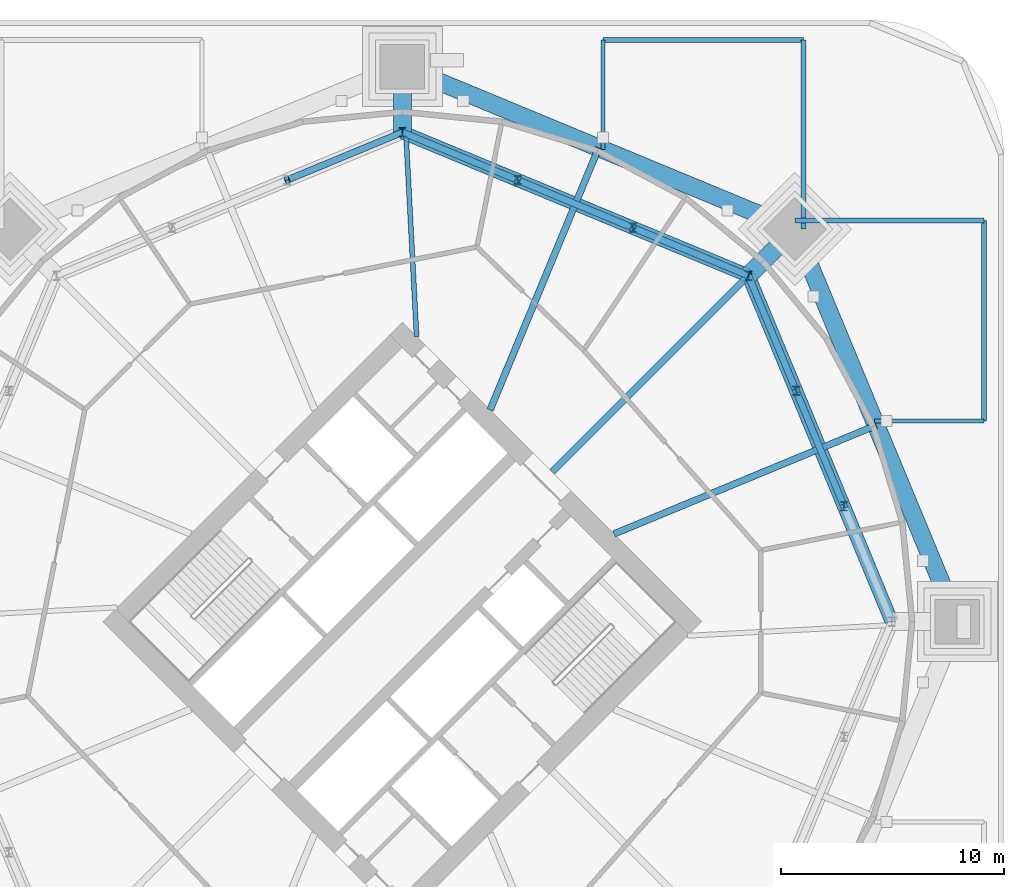
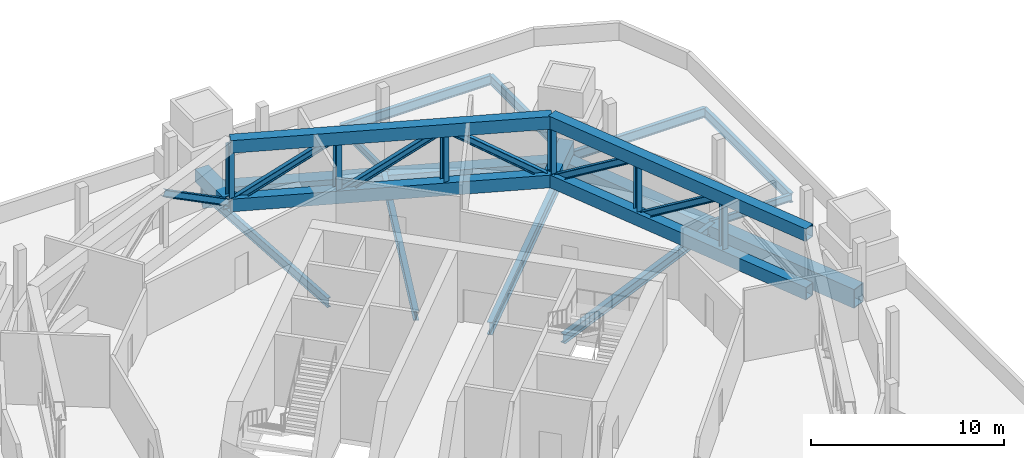
# One storey, part 9 of 21: 16 members, 14 beams.
"""IFC4 building model written with IfcOpenShell, lengths in metres."""

from ifc_helpers import new_model, si_unit, direction, frame, origin, origin_2d, place, context, subcontext, project, spatial, hollow_rectangle, i_section, extrude, material, material_profile, profile_set, type_object, element, save


model = new_model("IFC4")

# Units and contexts
model_context = context("Model", 3, precision=1e-05, world=origin(), true_north=direction((0.0, 1.0)))
body_context = subcontext(model_context, "Body", "Model", "MODEL_VIEW")
ifc_project = project(units=[si_unit("LENGTHUNIT", "METRE"), si_unit("AREAUNIT", "SQUARE_METRE"), si_unit("VOLUMEUNIT", "CUBIC_METRE"), si_unit("PLANEANGLEUNIT", "RADIAN"), si_unit("MASSUNIT", "GRAM", prefix="KILO")], contexts=[model_context])

# Site, building, storey
site_placement = place(None, origin())
site = spatial("IfcSite", under=ifc_project, at=site_placement, CompositionType="ELEMENT")
building_placement = place(site_placement, origin())
building = spatial("IfcBuilding", under=site, at=building_placement, Name="Ogive Gate Towers", CompositionType="ELEMENT")
storey_placement = place(building_placement, frame((0.0, 0.0, 27.60009765625)))
storey = spatial("IfcBuildingStorey", under=building, at=storey_placement, Name="L05", CompositionType="ELEMENT", Elevation=27.60009765625)

# Beams
ifc_material_1 = material(Name="Steel SM460", Category="steel")
ifc_material_profile_1 = material_profile(ifc_material_1, hollow_rectangle(XDim=0.800048828125, YDim=1.199951171875, WallThickness=0.050048828125, at=origin_2d()), Name="BX 1200x800x50")
ifc_profile_set_1 = profile_set([ifc_material_profile_1], Name="Steel SM460")
beam_type_1 = type_object("IfcBeamType", Name="Edge girder BX 1200x800x50", PredefinedType="BEAM", material=ifc_profile_set_1)
for number, where, z_axis, x_axis, name in (
    (1, (60.909912109375, 0.0, -0.900146484375), (-0.382680526191, 0.923880736283, 0.0), (-0.923880736283, -0.382680526191, 0.0), "T2/L05/SBM020"),
    (2, (53.614013671875, 17.614013671875, -0.900146484375), (-0.923880736283, 0.382680526191, 0.0), (-0.382680526191, -0.923880736283, 0.0), "T2/L05/SBM021"),
):
    element("IfcBeam", number, at=place(storey_placement, frame(where, z_axis=z_axis, x_axis=x_axis)), inside=storey, type_object=beam_type_1, Name=name, PredefinedType="BEAM", context=body_context, shape_type="SweptSolid", body=[
        extrude(hollow_rectangle(XDim=0.800048828125, YDim=1.199951171875, WallThickness=0.050048828125, at=origin_2d()), origin(), (0.0, 0.0, 1.0), 19.065185546875),
    ])
ifc_material_2 = material(Name="Steel SM355", Category="steel")
ifc_material_profile_2 = material_profile(ifc_material_2, i_section(OverallWidth=0.18994140625, OverallDepth=0.449951171875, WebThickness=0.009521484375, FlangeThickness=0.0146484375, FilletRadius=0.02099609375, at=origin_2d()), Name="IPE 450")
ifc_profile_set_2 = profile_set([ifc_material_profile_2], Name="Steel SM355")
beam_type_2 = type_object("IfcBeamType", Name="Floor beam IPE 450", PredefinedType="BEAM", material=ifc_profile_set_2)
for number, where, z_axis, x_axis, name in (
    (3, (45.0, 26.10009765625, -0.525146484375), (0.0, -1.0, 0.0), (1.0, 0.0, 0.0), "PD/L05/SBM064"),
    (4, (62.10009765625, 9.0, -0.525146484375), (-1.0, 0.0, 0.0), (0.0, -1.0, 0.0), "PD/L05/SBM066"),
):
    element("IfcBeam", number, at=place(storey_placement, frame(where, z_axis=z_axis, x_axis=x_axis)), inside=storey, type_object=beam_type_2, Name=name, PredefinedType="BEAM", context=body_context, shape_type="SweptSolid", body=[
        extrude(i_section(OverallWidth=0.18994140625, OverallDepth=0.449951171875, WebThickness=0.009521484375, FlangeThickness=0.0146484375, FilletRadius=0.02099609375, at=origin_2d()), origin(), (0.0, 0.0, 1.0), 4.91796875),
    ])
ifc_material_profile_3 = material_profile(ifc_material_2, i_section(OverallWidth=0.219970703125, OverallDepth=0.60009765625, WebThickness=0.011962890625, FlangeThickness=0.01904296875, FilletRadius=0.02392578125, at=origin_2d()), Name="IPE 600")
ifc_profile_set_3 = profile_set([ifc_material_profile_3], Name="Steel SM355")
beam_type_3 = type_object("IfcBeamType", Name="Floor beam IPE 600", PredefinedType="BEAM", material=ifc_profile_set_3)
for number, where, z_axis, x_axis, name in (
    (5, (54.0, 17.614013671875, -0.60009765625), (0.0, 1.0, 0.0), (-1.0, 0.0, 0.0), "PD/L05/SBM018"),
    (6, (53.614013671875, 18.0, -0.60009765625), (1.0, 0.0, 0.0), (0.0, 1.0, 0.0), "PD/L05/SBM030"),
):
    element("IfcBeam", number, at=place(storey_placement, frame(where, z_axis=z_axis, x_axis=x_axis)), inside=storey, type_object=beam_type_3, Name=name, PredefinedType="BEAM", context=body_context, shape_type="SweptSolid", body=[
        extrude(i_section(OverallWidth=0.219970703125, OverallDepth=0.60009765625, WebThickness=0.011962890625, FlangeThickness=0.01904296875, FilletRadius=0.02392578125, at=origin_2d()), origin(), (0.0, 0.0, 1.0), 8.486083984375),
    ])
for number, where, z_axis, x_axis, name in (
    (7, (45.0, 26.10009765625, -0.60009765625), (1.0, 0.0, 0.0), (0.0, 1.0, 0.0), "PD/L05/SBM048"),
    (8, (62.10009765625, 18.0, -0.60009765625), (0.0, -1.0, 0.0), (1.0, 0.0, 0.0), "PD/L05/SBM049"),
):
    element("IfcBeam", number, at=place(storey_placement, frame(where, z_axis=z_axis, x_axis=x_axis)), inside=storey, type_object=beam_type_3, Name=name, PredefinedType="BEAM", context=body_context, shape_type="SweptSolid", body=[
        extrude(i_section(OverallWidth=0.219970703125, OverallDepth=0.60009765625, WebThickness=0.011962890625, FlangeThickness=0.01904296875, FilletRadius=0.02392578125, at=origin_2d()), origin(), (0.0, 0.0, 1.0), 9.0),
    ])
ifc_material_profile_4 = material_profile(ifc_material_1, hollow_rectangle(XDim=0.800048828125, YDim=0.800048828125, WallThickness=0.050048828125, at=origin_2d()), Name="BX 800x800x50")
ifc_profile_set_4 = profile_set([ifc_material_profile_4], Name="Steel SM460")
beam_type_4 = type_object("IfcBeamType", Name="Node arm BX 800x800x50", PredefinedType="BEAM", material=ifc_profile_set_4)
for number, where, z_axis, x_axis, name in (
    (9, (51.528076171875, 15.528076171875, 0.449951171875), (0.707106781187, 0.707106781187, 0.0), (-0.707106781187, 0.707106781187, 0.0), "T2/L05/SBM026"),
    (10, (36.0, 21.9599609375, 0.449951171875), (0.0, 1.0, 0.0), (-1.0, 0.0, 0.0), "T2/L05/SBM027"),
):
    element("IfcBeam", number, at=place(storey_placement, frame(where, z_axis=z_axis, x_axis=x_axis)), inside=storey, type_object=beam_type_4, Name=name, PredefinedType="BEAM", context=body_context, shape_type="SweptSolid", body=[
        extrude(hollow_rectangle(XDim=0.800048828125, YDim=0.800048828125, WallThickness=0.050048828125, at=origin_2d()), origin(), (0.0, 0.0, 1.0), 2.949951171875),
    ])
ifc_material_profile_5 = material_profile(ifc_material_2, i_section(OverallWidth=0.300048828125, OverallDepth=0.590087890625, WebThickness=0.012939453125, FlangeThickness=0.02490234375, FilletRadius=0.027099609375, at=origin_2d()), Name="HE 600 A")
ifc_profile_set_5 = profile_set([ifc_material_profile_5], Name="Steel SM355")
beam_type_5 = type_object("IfcBeamType", Name="Radial floor beam HE 600 A", PredefinedType="BEAM", material=ifc_profile_set_5)
for number, where, z_axis, x_axis, name in (
    (11, (45.5, 3.93505859375, -0.59521484375), (0.923876595354, 0.382690523214, 0.0), (-0.382690523214, 0.923876595354, 0.0), "T2/L05/SBM008"),
    (12, (39.93505859375, 9.5, -0.59521484375), (0.382690523214, 0.923876595354, 0.0), (-0.923876595354, 0.382690523214, 0.0), "T2/L05/SBM010"),
):
    element("IfcBeam", number, at=place(storey_placement, frame(where, z_axis=z_axis, x_axis=x_axis)), inside=storey, type_object=beam_type_5, Name=name, PredefinedType="BEAM", context=body_context, shape_type="SweptSolid", body=[
        extrude(i_section(OverallWidth=0.300048828125, OverallDepth=0.590087890625, WebThickness=0.012939453125, FlangeThickness=0.02490234375, FilletRadius=0.027099609375, at=origin_2d()), origin(), (0.0, 0.0, 1.0), 12.731201171875),
    ])
ifc_material_profile_6 = material_profile(ifc_material_2, i_section(OverallWidth=0.300048828125, OverallDepth=0.7900390625, WebThickness=0.014892578125, FlangeThickness=0.028076171875, FilletRadius=0.030029296875, at=origin_2d()), Name="HE 800 A")
ifc_profile_set_6 = profile_set([ifc_material_profile_6], Name="Steel SM355")
beam_type_6 = type_object("IfcBeamType", Name="Radial floor beam HE 800 A", PredefinedType="BEAM", material=ifc_profile_set_6)
beam_1_placement = place(storey_placement, frame((42.717529296875, 6.717529296875, -0.695068359375), z_axis=(0.707106781187, 0.707106781187, 0.0), x_axis=(-0.707106781187, 0.707106781187, 0.0)))
element("IfcBeam", 13, at=beam_1_placement, inside=storey, type_object=beam_type_6, Name="T2/L05/SBM009", PredefinedType="BEAM", context=body_context, shape_type="SweptSolid", body=[
    extrude(i_section(OverallWidth=0.300048828125, OverallDepth=0.7900390625, WebThickness=0.014892578125, FlangeThickness=0.028076171875, FilletRadius=0.030029296875, at=origin_2d()), origin(), (0.0, 0.0, 1.0), 15.409912109375),
])
ifc_material_profile_7 = material_profile(ifc_material_2, i_section(OverallWidth=0.219970703125, OverallDepth=0.60009765625, WebThickness=0.011962890625, FlangeThickness=0.01904296875, FilletRadius=0.02392578125, at=origin_2d()), Name="IPE 600")
ifc_profile_set_7 = profile_set([ifc_material_profile_7], Name="Steel SM355")
beam_type_7 = type_object("IfcBeamType", Name="Radial floor beam IPE 600", PredefinedType="BEAM", material=ifc_profile_set_7)
beam_2_placement = place(storey_placement, frame((36.636474609375, 12.798583984375, -0.60009765625), z_axis=(-0.052479590907, 0.998621996823, 0.0), x_axis=(-0.998621996823, -0.052479590907, 0.0)))
element("IfcBeam", 14, at=beam_2_placement, inside=storey, type_object=beam_type_7, Name="T2/L05/SBM011", PredefinedType="BEAM", context=body_context, shape_type="SweptSolid", body=[
    extrude(i_section(OverallWidth=0.219970703125, OverallDepth=0.60009765625, WebThickness=0.011962890625, FlangeThickness=0.01904296875, FilletRadius=0.02392578125, at=origin_2d()), origin(), (0.0, 0.0, 1.0), 12.1279296875),
])

# Members
ifc_material_profile_8 = material_profile(ifc_material_1, hollow_rectangle(XDim=0.60009765625, YDim=0.800048828125, WallThickness=0.0400390625, at=origin_2d()), Name="BX 800x600x40")
ifc_profile_set_8 = profile_set([ifc_material_profile_8], Name="Steel SM460")
member_type_1 = type_object("IfcMemberType", Name="Truss chord BX 800x600x40", PredefinedType="CHORD", material=ifc_profile_set_8)
for number, where, z_axis, x_axis, name in (
    (15, (57.9599609375, 0.0, 0.39990234375), (-0.382680640128, 0.923880689089, 0.0), (-0.923880689089, -0.382680640128, 0.0), "T2/L05/STR001"),
    (16, (57.9599609375, 0.0, 4.099853515625), (-0.382680640128, 0.923880689089, 0.0), (-0.923880689089, -0.382680640128, 0.0), "T2/L05/STR002"),
    (17, (51.528076171875, 15.528076171875, 0.39990234375), (-0.923880689089, 0.382680640128, 0.0), (-0.382680640128, -0.923880689089, 0.0), "T2/L05/STR010"),
    (18, (51.528076171875, 15.528076171875, 4.099853515625), (-0.923880689089, 0.382680640128, 0.0), (-0.382680640128, -0.923880689089, 0.0), "T2/L05/STR011"),
):
    element("IfcMember", number, at=place(storey_placement, frame(where, z_axis=z_axis, x_axis=x_axis)), inside=storey, type_object=member_type_1, Name=name, PredefinedType="CHORD", context=body_context, shape_type="SweptSolid", body=[
        extrude(hollow_rectangle(XDim=0.60009765625, YDim=0.800048828125, WallThickness=0.0400390625, at=origin_2d()), origin(), (0.0, 0.0, 1.0), 16.807373046875),
    ])
ifc_material_profile_9 = material_profile(ifc_material_1, i_section(OverallWidth=0.300048828125, OverallDepth=0.39990234375, WebThickness=0.013427734375, FlangeThickness=0.02392578125, FilletRadius=0.027099609375, at=origin_2d()), Name="HE 400 B")
ifc_profile_set_9 = profile_set([ifc_material_profile_9], Name="Steel SM460")
member_type_2 = type_object("IfcMemberType", Name="Truss diagonal HE 400 B", PredefinedType="BRACE", material=ifc_profile_set_9)
member_1_placement = place(storey_placement, frame((55.81591796875, 5.176025390625, 4.099853515625), z_axis=(-0.319306475879, 0.770939140771, -0.551086395848), x_axis=(-0.923890960058, -0.382655842662, 0.0)))
element("IfcMember", 19, at=member_1_placement, inside=storey, type_object=member_type_2, Name="T2/L05/STR004", PredefinedType="BRACE", context=body_context, shape_type="SweptSolid", body=[
    extrude(i_section(OverallWidth=0.300048828125, OverallDepth=0.39990234375, WebThickness=0.013427734375, FlangeThickness=0.02392578125, FilletRadius=0.027099609375, at=origin_2d()), origin(), (0.0, 0.0, 1.0), 6.7138671875),
])
for number, where, z_axis, x_axis, name in (
    (20, (53.672119140625, 10.35205078125, 4.099853515625), (-0.319339131165, 0.770930189005, -0.551079996904), (-0.92387555344, -0.382693038551, 0.0), "T2/L05/STR005"),
    (21, (51.528076171875, 15.528076171875, 0.39990234375), (-0.770930189005, 0.319339131165, 0.551079996904), (-0.382693038551, -0.92387555344, 0.0), "T2/L05/STR012"),
):
    element("IfcMember", number, at=place(storey_placement, frame(where, z_axis=z_axis, x_axis=x_axis)), inside=storey, type_object=member_type_2, Name=name, PredefinedType="BRACE", context=body_context, shape_type="SweptSolid", body=[
        extrude(i_section(OverallWidth=0.300048828125, OverallDepth=0.39990234375, WebThickness=0.013427734375, FlangeThickness=0.02392578125, FilletRadius=0.027099609375, at=origin_2d()), origin(), (0.0, 0.0, 1.0), 6.714111328125),
    ])
member_2_placement = place(storey_placement, frame((46.35205078125, 17.672119140625, 4.099853515625), z_axis=(-0.770939140771, 0.319306475879, -0.551086395848), x_axis=(-0.382655842662, -0.923890960058, 0.0)))
element("IfcMember", 22, at=member_2_placement, inside=storey, type_object=member_type_2, Name="T2/L05/STR013", PredefinedType="BRACE", context=body_context, shape_type="SweptSolid", body=[
    extrude(i_section(OverallWidth=0.300048828125, OverallDepth=0.39990234375, WebThickness=0.013427734375, FlangeThickness=0.02392578125, FilletRadius=0.027099609375, at=origin_2d()), origin(), (0.0, 0.0, 1.0), 6.7138671875),
])
for number, where, z_axis, x_axis, name in (
    (23, (41.176025390625, 19.81591796875, 4.099853515625), (-0.770930189005, 0.319339131165, -0.551079996904), (-0.382693038551, -0.92387555344, 0.0), "T2/L05/STR014"),
    (24, (36.0, 21.9599609375, 0.39990234375), (-0.770930189005, -0.319339131165, 0.551079996904), (0.382693038551, -0.92387555344, 0.0), "T2/L05/STR020"),
):
    element("IfcMember", number, at=place(storey_placement, frame(where, z_axis=z_axis, x_axis=x_axis)), inside=storey, type_object=member_type_2, Name=name, PredefinedType="BRACE", context=body_context, shape_type="SweptSolid", body=[
        extrude(i_section(OverallWidth=0.300048828125, OverallDepth=0.39990234375, WebThickness=0.013427734375, FlangeThickness=0.02392578125, FilletRadius=0.027099609375, at=origin_2d()), origin(), (0.0, 0.0, 1.0), 6.714111328125),
    ])
ifc_material_profile_10 = material_profile(ifc_material_1, i_section(OverallWidth=0.300048828125, OverallDepth=0.39990234375, WebThickness=0.013427734375, FlangeThickness=0.02392578125, FilletRadius=0.027099609375, at=origin_2d()), Name="HE 400 B")
ifc_profile_set_10 = profile_set([ifc_material_profile_10], Name="Steel SM460")
member_type_3 = type_object("IfcMemberType", Name="Truss post HE 400 B", PredefinedType="POST", material=ifc_profile_set_10)
for number, where, z_axis, x_axis, name in (
    (25, (55.81591796875, 5.176025390625, 0.39990234375), (0.0, 0.0, 1.0), (1.0, 0.0, 0.0), "T2/L05/STR007"),
    (26, (53.672119140625, 10.35205078125, 0.39990234375), (0.0, 0.0, 1.0), (1.0, 0.0, 0.0), "T2/L05/STR008"),
    (27, (51.528076171875, 15.528076171875, 0.39990234375), (0.0, 0.0, 1.0), (1.0, 0.0, 0.0), "T2/L05/STR009"),
    (28, (46.35205078125, 17.672119140625, 0.39990234375), (0.0, 0.0, 1.0), (1.0, 0.0, 0.0), "T2/L05/STR015"),
    (29, (41.176025390625, 19.81591796875, 0.39990234375), (0.0, 0.0, 1.0), (1.0, 0.0, 0.0), "T2/L05/STR016"),
    (30, (36.0, 21.9599609375, 0.39990234375), (0.0, 0.0, 1.0), (1.0, 0.0, 0.0), "T2/L05/STR017"),
):
    element("IfcMember", number, at=place(storey_placement, frame(where, z_axis=z_axis, x_axis=x_axis)), inside=storey, type_object=member_type_3, Name=name, PredefinedType="POST", context=body_context, shape_type="SweptSolid", body=[
        extrude(i_section(OverallWidth=0.300048828125, OverallDepth=0.39990234375, WebThickness=0.013427734375, FlangeThickness=0.02392578125, FilletRadius=0.027099609375, at=origin_2d()), origin(), (0.0, 0.0, 1.0), 3.699951171875),
    ])

save(model, "model.ifc")
